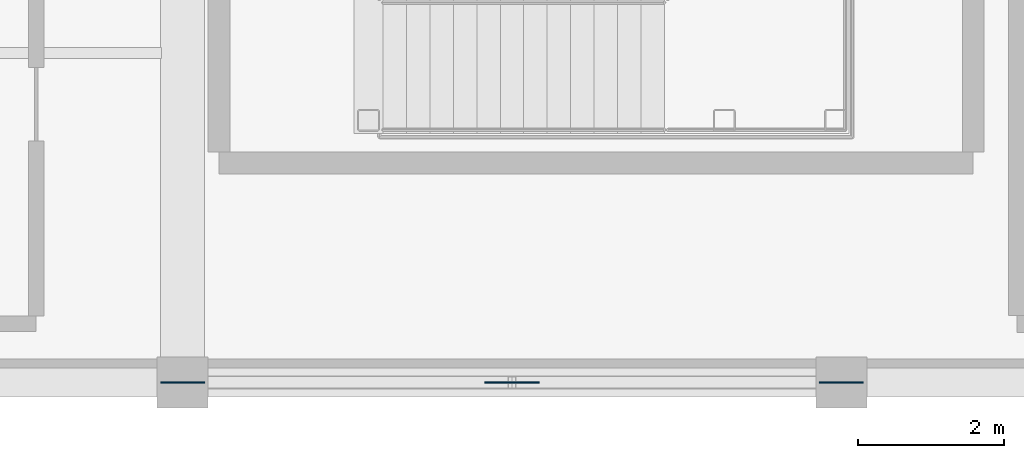
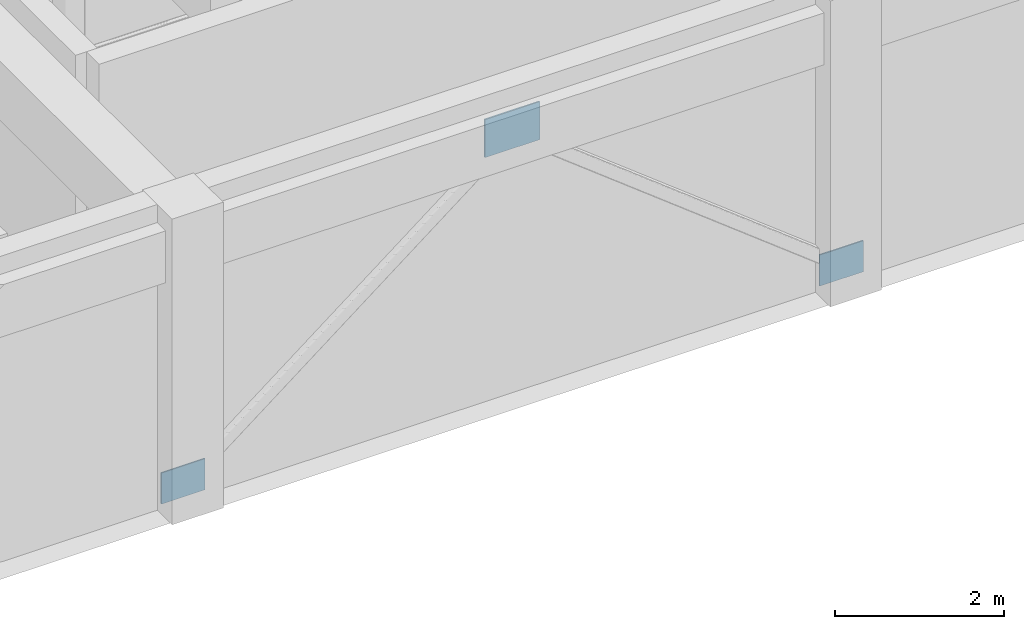
# One storey, part 101 of 133: 3 plates.
"""IFC4 building model written with IfcOpenShell, lengths in metres."""

from ifc_helpers import new_model, si_unit, direction, frame, origin, origin_2d, place, context, subcontext, project, spatial, rectangle, extrude, material, layer, layer_set, type_object, element, save


model = new_model("IFC4")

# Units and contexts
model_context = context("Model", 3, precision=1e-05, world=origin(), true_north=direction((0.0, 1.0)))
body_context = subcontext(model_context, "Body", "Model", "MODEL_VIEW")
ifc_project = project(units=[si_unit("LENGTHUNIT", "METRE"), si_unit("AREAUNIT", "SQUARE_METRE"), si_unit("VOLUMEUNIT", "CUBIC_METRE"), si_unit("PLANEANGLEUNIT", "RADIAN"), si_unit("MASSUNIT", "GRAM", prefix="KILO")], contexts=[model_context])

# Site, building, storey
site_placement = place(None, origin())
site = spatial("IfcSite", under=ifc_project, at=site_placement, CompositionType="ELEMENT")
building_placement = place(site_placement, origin())
building = spatial("IfcBuilding", under=site, at=building_placement, Name="Miravela Opera House", CompositionType="ELEMENT")
storey_placement = place(building_placement, frame((0.0, 0.0, 5.10009765625)))
storey = spatial("IfcBuildingStorey", under=building, at=storey_placement, Name="L01", CompositionType="ELEMENT", Elevation=5.10009765625)

# Plates
ifc_material = material(Name="Structural steel ASTM A572 Gr. 50", Category="steel")
ifc_layer_1 = layer(ifc_material, 0.01806640625)
ifc_layer_set_1 = layer_set([ifc_layer_1])
plate_type_1 = type_object("IfcPlateType", Name="STR-PL-GUS-600X450X18", PredefinedType="USERDEFINED", material=ifc_layer_set_1)
for number, where, z_axis, x_axis, name in (
    (1, (27.0, 0.0, 0.07470703125), (0.0, 0.0, 1.0), (1.0, 0.0, 0.0), "Brace Wall Cast-In Embed Plate 289"),
    (2, (36.0, 0.0, 0.07470703125), (0.0, 0.0, 1.0), (1.0, 0.0, 0.0), "Brace Wall Cast-In Embed Plate 290"),
):
    element("IfcPlate", number, at=place(storey_placement, frame(where, z_axis=z_axis, x_axis=x_axis)), inside=storey, type_object=plate_type_1, Name=name, ObjectType="GUSSET PLATE", PredefinedType="USERDEFINED", context=body_context, shape_type="SweptSolid", body=[
        extrude(rectangle(XDim=0.60009765625, YDim=0.01806640625, at=origin_2d()), origin(), (0.0, 0.0, 1.0), 0.449951171875),
    ])
ifc_layer_2 = layer(ifc_material, 0.02001953125)
ifc_layer_set_2 = layer_set([ifc_layer_2])
plate_type_2 = type_object("IfcPlateType", Name="STR-PL-GUS-750X550X20", PredefinedType="USERDEFINED", material=ifc_layer_set_2)
plate_placement = place(storey_placement, frame((31.5, 0.0, 3.53466796875), z_axis=(0.0, 0.0, 1.0), x_axis=(1.0, 0.0, 0.0)))
element("IfcPlate", 3, at=plate_placement, inside=storey, type_object=plate_type_2, Name="Chevron Brace Apex Gusset Plate 288", ObjectType="GUSSET PLATE", PredefinedType="USERDEFINED", context=body_context, shape_type="SweptSolid", body=[
    extrude(rectangle(XDim=0.75, YDim=0.02001953125, at=origin_2d()), origin(), (0.0, 0.0, 1.0), 0.550048828125),
])

save(model, "model.ifc")
